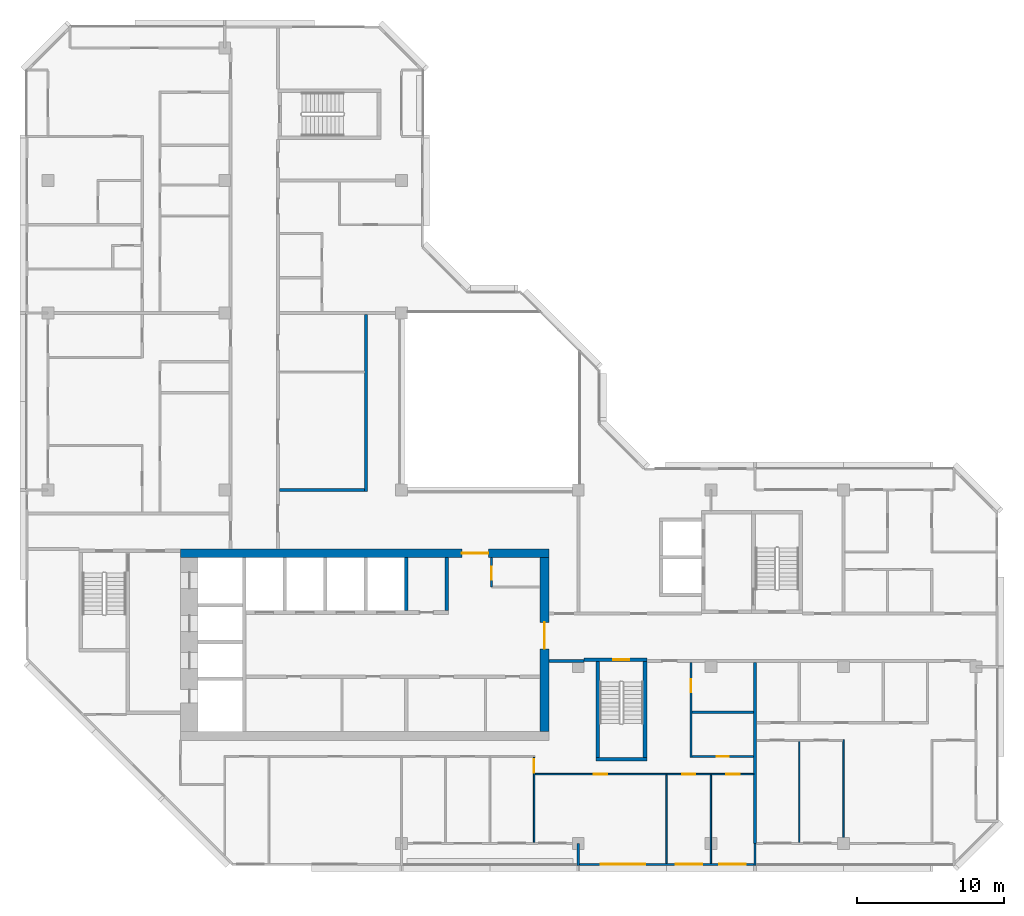
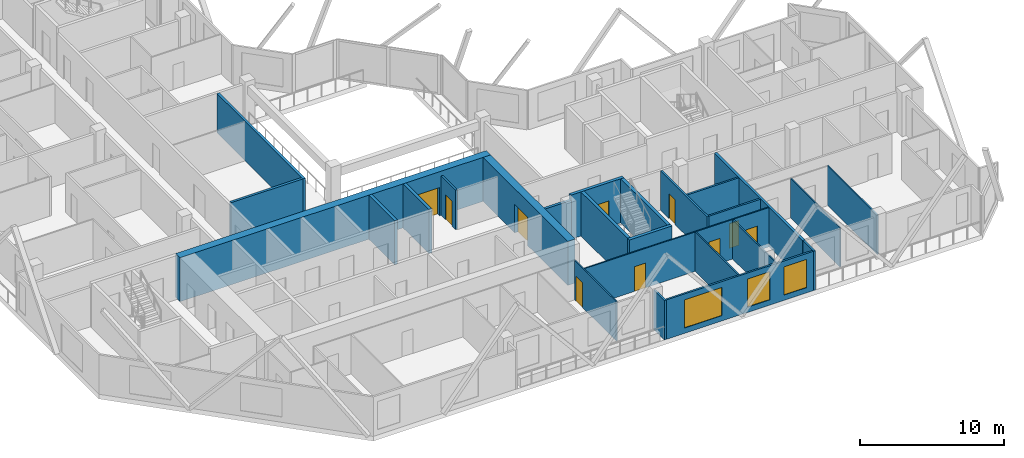
# One storey, part 6 of 13: 25 walls, 10 doors, 3 windows, 13 openings.
"""IFC4 building model written with IfcOpenShell, lengths in metres."""

from ifc_helpers import new_model, si_unit, direction, frame, frame_2d, origin, place, context, subcontext, project, spatial, rectangle, extrude, material, layer, layer_set, type_object, element, fill, save


model = new_model("IFC4")

# Units and contexts
model_context = context("Model", 3, precision=1e-05, world=origin(), true_north=direction((0.0, 1.0)))
body_context = subcontext(model_context, "Body", "Model", "MODEL_VIEW")
ifc_project = project(units=[si_unit("LENGTHUNIT", "METRE"), si_unit("AREAUNIT", "SQUARE_METRE"), si_unit("VOLUMEUNIT", "CUBIC_METRE"), si_unit("PLANEANGLEUNIT", "RADIAN"), si_unit("MASSUNIT", "GRAM", prefix="KILO")], contexts=[model_context])

# Site, building, storey
site_placement = place(None, origin())
site = spatial("IfcSite", under=ifc_project, at=site_placement, CompositionType="ELEMENT")
building_placement = place(site_placement, origin())
building = spatial("IfcBuilding", under=site, at=building_placement, Name="Chenar Terraces", CompositionType="ELEMENT")
storey_placement = place(building_placement, frame((0.0, 0.0, 288.39990234375)))
storey = spatial("IfcBuildingStorey", under=building, at=storey_placement, Name="L67", CompositionType="ELEMENT", Elevation=288.39990234375)

# Wall, opening, door
ifc_material_1 = material(Name="Gypsum board on steel studs", Category="steel")
ifc_layer_1 = layer(ifc_material_1, 0.14990234375)
ifc_layer_set_1 = layer_set([ifc_layer_1], Name="Gypsum board on steel studs")
wall_type_1 = type_object("IfcWallType", Name="Core partition 150 gypsum board", PredefinedType="PARTITIONING", material=ifc_layer_set_1)
wall_1_placement = place(storey_placement, frame((30.10009765625, 17.39990234375, 0.0), z_axis=(0.0, 0.0, 1.0), x_axis=(0.0, 1.0, 0.0)))
wall_1 = element("IfcWall", 1, at=wall_1_placement, inside=storey, type_object=wall_type_1, Name="Core partition CP1 vestibule room west wall", PredefinedType="PARTITIONING", context=body_context, shape_type="SweptSolid", body=[
    extrude(rectangle(XDim=2.0, YDim=0.14990234375, at=frame_2d((1.0, 0.0))), origin(), (0.0, 0.0, 1.0), 3.35009765625),
])
opening_1_placement = place(wall_1_placement, frame((0.5, 0.0, 0.0)))
opening_1 = element("IfcOpeningElement", 2, at=opening_1_placement, cuts=wall_1, Name="Opening DL67-C17", PredefinedType="OPENING", context=body_context, shape_type="SweptSolid", body=[
    extrude(rectangle(XDim=0.89990234375, YDim=2.10009765625, at=frame_2d((0.449951171875, 1.050048828125))), frame((0.0, 0.0849609375, 0.0), z_axis=(0.0, -1.0, 0.0), x_axis=(1.0, 0.0, 0.0)), (0.0, 0.0, 1.0), 0.169921875),
])
ifc_material_2 = material(Name="Steel-framed fire-resisting door leaf", Category="steel")
door_type_1 = type_object("IfcDoorType", Name="Riser fire door FD60 900 x 2100", OperationType="SINGLE_SWING_LEFT", PredefinedType="DOOR", material=ifc_material_2)
door_1_placement = place(opening_1_placement, frame((0.89990234375, 0.0, 0.0), z_axis=(0.0, 0.0, 1.0), x_axis=(-1.0, 0.0, 0.0)))
door_1 = element("IfcDoor", 3, at=door_1_placement, inside=storey, type_object=door_type_1, Name="Core room door DL67-C17", OperationType="SINGLE_SWING_RIGHT", OverallHeight=2.10009765625, OverallWidth=0.89990234375, PredefinedType="DOOR", context=body_context, shape_type="SweptSolid", body=[
    extrude(rectangle(XDim=0.89990234375, YDim=2.10009765625, at=frame_2d((0.449951171875, 1.050048828125))), frame((0.0, 0.02490234375, 0.0), z_axis=(0.0, -1.0, 0.0), x_axis=(1.0, 0.0, 0.0)), (0.0, 0.0, 1.0), 0.050048828125),
])
fill(opening_1, door_1)

# Walls
ifc_material_3 = material(Name="Concrete C50/60", Category="concrete")
ifc_layer_2 = layer(ifc_material_3, 0.25)
ifc_layer_set_2 = layer_set([ifc_layer_2], Name="Concrete C50/60")
wall_type_2 = type_object("IfcWallType", Name="Core wall 250 Concrete C50/60", PredefinedType="SHEAR", material=ifc_layer_set_2)
for number, where, z_axis, x_axis, name in (
    (4, (24.324951171875, 15.800048828125, 0.0), (0.0, 0.0, 1.0), (0.0, 1.0, 0.0), "Core wall NS3 L67"),
    (5, (27.074951171875, 15.800048828125, 0.0), (0.0, 0.0, 1.0), (0.0, 1.0, 0.0), "Core wall NE L67"),
):
    element("IfcWall", number, at=place(storey_placement, frame(where, z_axis=z_axis, x_axis=x_axis)), inside=storey, type_object=wall_type_2, Name=name, PredefinedType="SHEAR", context=body_context, shape_type="SweptSolid", body=[
        extrude(rectangle(XDim=3.599853515625, YDim=0.25, at=frame_2d((1.7998046875, 0.0))), origin(), (0.0, 0.0, 1.0), 3.75),
    ])
wall_2_placement = place(storey_placement, frame((37.199951171875, 5.72509765625, 0.0), z_axis=(0.0, 0.0, 1.0), x_axis=(1.0, 0.0, 0.0)))
element("IfcWall", 6, at=wall_2_placement, inside=storey, type_object=wall_type_2, Name="Core wall ST2_S L67", PredefinedType="SHEAR", context=body_context, shape_type="SweptSolid", body=[
    extrude(rectangle(XDim=3.449951171875, YDim=0.25, at=frame_2d((1.72509765625, 0.0))), origin(), (0.0, 0.0, 1.0), 3.75),
])

# Wall, opening, door
wall_3_placement = place(storey_placement, frame((36.39990234375, 12.47509765625, 0.0), z_axis=(0.0, 0.0, 1.0), x_axis=(1.0, 0.0, 0.0)))
wall_3 = element("IfcWall", 7, at=wall_3_placement, inside=storey, type_object=wall_type_2, Name="Core wall ST2_N L67", PredefinedType="SHEAR", context=body_context, shape_type="SweptSolid", body=[
    extrude(rectangle(XDim=4.25, YDim=0.25, at=frame_2d((2.125, 0.0))), origin(), (0.0, 0.0, 1.0), 3.75),
])
opening_2_placement = place(wall_3_placement, frame((1.97509765625, 0.0, 0.0)))
opening_2 = element("IfcOpeningElement", 8, at=opening_2_placement, cuts=wall_3, Name="Opening DL67-C7", PredefinedType="OPENING", context=body_context, shape_type="SweptSolid", body=[
    extrude(rectangle(XDim=1.10009765625, YDim=2.199951171875, at=frame_2d((0.550048828125, 1.10009765625))), frame((0.0, 0.135009765625, 0.0), z_axis=(0.0, -1.0, 0.0), x_axis=(1.0, 0.0, 0.0)), (0.0, 0.0, 1.0), 0.27001953125),
])
ifc_material_4 = material(Name="Steel-framed fire-resisting door leaf", Category="steel")
door_type_2 = type_object("IfcDoorType", Name="Stair fire door FD60 1100 x 2200", OperationType="SINGLE_SWING_LEFT", PredefinedType="DOOR", material=ifc_material_4)
door_2_placement = place(opening_2_placement, frame((1.10009765625, 0.0, 0.0), z_axis=(0.0, 0.0, 1.0), x_axis=(-1.0, 0.0, 0.0)))
door_2 = element("IfcDoor", 9, at=door_2_placement, inside=storey, type_object=door_type_2, Name="Stair door DL67-C7", OperationType="SINGLE_SWING_LEFT", OverallHeight=2.199951171875, OverallWidth=1.10009765625, PredefinedType="DOOR", context=body_context, shape_type="SweptSolid", body=[
    extrude(rectangle(XDim=1.10009765625, YDim=2.199951171875, at=frame_2d((0.550048828125, 1.10009765625))), frame((0.0, 0.02490234375, 0.0), z_axis=(0.0, -1.0, 0.0), x_axis=(1.0, 0.0, 0.0)), (0.0, 0.0, 1.0), 0.050048828125),
])
fill(opening_2, door_2)

# Walls
for number, where, z_axis, x_axis, name in (
    (10, (37.324951171875, 5.85009765625, 0.0), (0.0, 0.0, 1.0), (0.0, 1.0, 0.0), "Core wall ST2_W L67"),
    (11, (40.52490234375, 5.85009765625, 0.0), (0.0, 0.0, 1.0), (0.0, 1.0, 0.0), "Core wall ST2_E L67"),
):
    element("IfcWall", number, at=place(storey_placement, frame(where, z_axis=z_axis, x_axis=x_axis)), inside=storey, type_object=wall_type_2, Name=name, PredefinedType="SHEAR", context=body_context, shape_type="SweptSolid", body=[
        extrude(rectangle(XDim=6.5, YDim=0.25, at=frame_2d((3.25, 0.0))), origin(), (0.0, 0.0, 1.0), 3.75),
    ])

# Wall, opening, door
ifc_material_5 = material(Name="Concrete C50/60", Category="concrete")
ifc_layer_3 = layer(ifc_material_5, 0.60009765625)
ifc_layer_set_3 = layer_set([ifc_layer_3], Name="Concrete C50/60")
wall_type_3 = type_object("IfcWallType", Name="Core wall 600 Concrete C50/60", PredefinedType="SHEAR", material=ifc_layer_set_3)
wall_4_placement = place(storey_placement, frame((9.0, 19.699951171875, 0.0), z_axis=(0.0, 0.0, 1.0), x_axis=(1.0, 0.0, 0.0)))
wall_4 = element("IfcWall", 12, at=wall_4_placement, inside=storey, type_object=wall_type_3, Name="Core wall N L67", PredefinedType="SHEAR", context=body_context, shape_type="SweptSolid", body=[
    extrude(rectangle(XDim=25.0, YDim=0.60009765625, at=frame_2d((12.5, 0.0))), origin(), (0.0, 0.0, 1.0), 3.75),
])
opening_3_placement = place(wall_4_placement, frame((19.10009765625, 0.0, 0.0)))
opening_3 = element("IfcOpeningElement", 13, at=opening_3_placement, cuts=wall_4, Name="Opening DL67-C2", PredefinedType="OPENING", context=body_context, shape_type="SweptSolid", body=[
    extrude(rectangle(XDim=1.800048828125, YDim=2.39990234375, at=frame_2d((0.89990234375, 1.199951171875))), frame((0.0, 0.31005859375, 0.0), z_axis=(0.0, -1.0, 0.0), x_axis=(1.0, 0.0, 0.0)), (0.0, 0.0, 1.0), 0.6201171875),
])
ifc_material_6 = material(Name="Steel-framed fire-resisting door leaf", Category="steel")
door_type_3 = type_object("IfcDoorType", Name="Core entrance double fire door FD60 1800 x 2400", OperationType="DOUBLE_DOOR_SINGLE_SWING", PredefinedType="DOOR", material=ifc_material_6)
door_3_placement = place(opening_3_placement, frame((1.800048828125, 0.0, 0.0), z_axis=(0.0, 0.0, 1.0), x_axis=(-1.0, 0.0, 0.0)))
door_3 = element("IfcDoor", 14, at=door_3_placement, inside=storey, type_object=door_type_3, Name="Core door DL67-C2", OperationType="DOUBLE_DOOR_SINGLE_SWING", OverallHeight=2.39990234375, OverallWidth=1.800048828125, PredefinedType="DOOR", context=body_context, shape_type="SweptSolid", body=[
    extrude(rectangle(XDim=1.800048828125, YDim=2.39990234375, at=frame_2d((0.89990234375, 1.199951171875))), frame((0.0, 0.02490234375, 0.0), z_axis=(0.0, -1.0, 0.0), x_axis=(1.0, 0.0, 0.0)), (0.0, 0.0, 1.0), 0.050048828125),
])
fill(opening_3, door_3)

wall_5_placement = place(storey_placement, frame((33.699951171875, 7.60009765625, 0.0), z_axis=(0.0, 0.0, 1.0), x_axis=(0.0, 1.0, 0.0)))
wall_5 = element("IfcWall", 15, at=wall_5_placement, inside=storey, type_object=wall_type_3, Name="Core wall E L67", PredefinedType="SHEAR", context=body_context, shape_type="SweptSolid", body=[
    extrude(rectangle(XDim=11.7998046875, YDim=0.60009765625, at=frame_2d((5.89990234375, 0.0))), origin(), (0.0, 0.0, 1.0), 3.75),
])
opening_4_placement = place(wall_5_placement, frame((5.60009765625, 0.0, 0.0)))
opening_4 = element("IfcOpeningElement", 16, at=opening_4_placement, cuts=wall_5, Name="Opening DL67-C1", PredefinedType="OPENING", context=body_context, shape_type="SweptSolid", body=[
    extrude(rectangle(XDim=1.800048828125, YDim=2.39990234375, at=frame_2d((0.89990234375, 1.199951171875))), frame((0.0, 0.31005859375, 0.0), z_axis=(0.0, -1.0, 0.0), x_axis=(1.0, 0.0, 0.0)), (0.0, 0.0, 1.0), 0.6201171875),
])
door_4_placement = place(opening_4_placement, origin())
door_4 = element("IfcDoor", 17, at=door_4_placement, inside=storey, type_object=door_type_3, Name="Core door DL67-C1", OperationType="DOUBLE_DOOR_SINGLE_SWING", OverallHeight=2.39990234375, OverallWidth=1.800048828125, PredefinedType="DOOR", context=body_context, shape_type="SweptSolid", body=[
    extrude(rectangle(XDim=1.800048828125, YDim=2.39990234375, at=frame_2d((0.89990234375, 1.199951171875))), frame((0.0, 0.02490234375, 0.0), z_axis=(0.0, -1.0, 0.0), x_axis=(1.0, 0.0, 0.0)), (0.0, 0.0, 1.0), 0.050048828125),
])
fill(opening_4, door_4)

# Walls
ifc_material_7 = material(Name="Gypsum board on steel studs with fire boards", Category="steel")
ifc_layer_4 = layer(ifc_material_7, 0.199951171875)
ifc_layer_set_4 = layer_set([ifc_layer_4], Name="Gypsum board on steel studs with fire boards")
wall_type_4 = type_object("IfcWallType", Name="Corridor wall 200", PredefinedType="PARTITIONING", material=ifc_layer_set_4)
wall_6_placement = place(storey_placement, frame((15.699951171875, 24.0, 0.0), z_axis=(0.0, 0.0, 1.0), x_axis=(1.0, 0.0, 0.0)))
element("IfcWall", 18, at=wall_6_placement, inside=storey, type_object=wall_type_4, Name="Partition L67-033", PredefinedType="PARTITIONING", context=body_context, shape_type="SweptSolid", body=[
    extrude(rectangle(XDim=5.800048828125, YDim=0.199951171875, at=frame_2d((2.89990234375, 0.0))), origin(), (0.0, 0.0, 1.0), 3.35009765625),
])
wall_7_placement = place(storey_placement, frame((21.60009765625, 23.89990234375, 0.0), z_axis=(0.0, 0.0, 1.0), x_axis=(0.0, 1.0, 0.0)))
element("IfcWall", 19, at=wall_7_placement, inside=storey, type_object=wall_type_4, Name="Partition L67-042", PredefinedType="PARTITIONING", context=body_context, shape_type="SweptSolid", body=[
    extrude(rectangle(XDim=12.0, YDim=0.199951171875, at=frame_2d((6.0, 0.0))), origin(), (0.0, 0.0, 1.0), 3.35009765625),
])
wall_8_placement = place(storey_placement, frame((34.0, 12.39990234375, 0.0), z_axis=(0.0, 0.0, 1.0), x_axis=(1.0, 0.0, 0.0)))
element("IfcWall", 20, at=wall_8_placement, inside=storey, type_object=wall_type_4, Name="Partition L67-048", PredefinedType="PARTITIONING", context=body_context, shape_type="SweptSolid", body=[
    extrude(rectangle(XDim=2.40087890625, YDim=0.199951171875, at=frame_2d((1.200439453125, 0.0))), origin(), (0.0, 0.0, 1.0), 3.35009765625),
])

# Wall, openings, windows
ifc_material_8 = material(Name="Aluminium framed glazing", Category="aluminium")
ifc_layer_5 = layer(ifc_material_8, 0.14990234375)
ifc_layer_set_5 = layer_set([ifc_layer_5], Name="Aluminium framed glazing")
wall_type_5 = type_object("IfcWallType", Name="Glazed flush facade wall 150", PredefinedType="SOLIDWALL", material=ifc_layer_set_5)
wall_9_placement = place(storey_placement, frame((36.074951171875, -1.425048828125, 0.0), z_axis=(0.0, 0.0, 1.0), x_axis=(1.0, 0.0, 0.0)))
wall_9 = element("IfcWall", 21, at=wall_9_placement, inside=storey, type_object=wall_type_5, Name="Glazed flush facade wall", PredefinedType="SOLIDWALL", context=body_context, shape_type="SweptSolid", body=[
    extrude(rectangle(XDim=11.85009765625, YDim=0.14990234375, at=frame_2d((5.925048828125, 0.0))), origin(), (0.0, 0.0, 1.0), 3.35009765625),
])
opening_5_placement = place(wall_9_placement, frame((1.46240234375, 0.0, 0.449951171875)))
opening_5 = element("IfcOpeningElement", 22, at=opening_5_placement, cuts=wall_9, Name="Opening W300x240", PredefinedType="OPENING", context=body_context, shape_type="SweptSolid", body=[
    extrude(rectangle(XDim=3.0, YDim=2.39990234375, at=frame_2d((1.5, 1.199951171875))), frame((0.0, 0.0849609375, 0.0), z_axis=(0.0, -1.0, 0.0), x_axis=(1.0, 0.0, 0.0)), (0.0, 0.0, 1.0), 0.169921875),
])
opening_6_placement = place(wall_9_placement, frame((6.52490234375, 0.0, 0.449951171875)))
opening_6 = element("IfcOpeningElement", 23, at=opening_6_placement, cuts=wall_9, Name="Opening W180x240", PredefinedType="OPENING", context=body_context, shape_type="SweptSolid", body=[
    extrude(rectangle(XDim=1.800048828125, YDim=2.39990234375, at=frame_2d((0.89990234375, 1.199951171875))), frame((0.0, 0.0849609375, 0.0), z_axis=(0.0, -1.0, 0.0), x_axis=(1.0, 0.0, 0.0)), (0.0, 0.0, 1.0), 0.169921875),
])
opening_7_placement = place(wall_9_placement, frame((9.487548828125, 0.0, 0.449951171875)))
opening_7 = element("IfcOpeningElement", 24, at=opening_7_placement, cuts=wall_9, Name="Opening W180x240", PredefinedType="OPENING", context=body_context, shape_type="SweptSolid", body=[
    extrude(rectangle(XDim=1.800048828125, YDim=2.39990234375, at=frame_2d((0.89990234375, 1.199951171875))), frame((0.0, 0.0849609375, 0.0), z_axis=(0.0, -1.0, 0.0), x_axis=(1.0, 0.0, 0.0)), (0.0, 0.0, 1.0), 0.169921875),
])
ifc_material_9 = material(Name="Low emissivity double glazing, aluminium frame", Category="aluminium")
window_type_1 = type_object("IfcWindowType", Name="Fixed light 1800 x 2400", PartitioningType="SINGLE_PANEL", PredefinedType="WINDOW", material=ifc_material_9)
window_1_placement = place(opening_6_placement, origin())
window_1 = element("IfcWindow", 25, at=window_1_placement, inside=storey, type_object=window_type_1, Name="Window", OverallHeight=2.39990234375, OverallWidth=1.800048828125, PartitioningType="SINGLE_PANEL", PredefinedType="WINDOW", context=body_context, shape_type="SweptSolid", body=[
    extrude(rectangle(XDim=1.800048828125, YDim=2.39990234375, at=frame_2d((0.89990234375, 1.199951171875))), frame((0.0, 0.030029296875, 0.0), z_axis=(0.0, -1.0, 0.0), x_axis=(1.0, 0.0, 0.0)), (0.0, 0.0, 1.0), 0.06005859375),
])
fill(opening_6, window_1)
window_2_placement = place(opening_7_placement, origin())
window_2 = element("IfcWindow", 26, at=window_2_placement, inside=storey, type_object=window_type_1, Name="Window", OverallHeight=2.39990234375, OverallWidth=1.800048828125, PartitioningType="SINGLE_PANEL", PredefinedType="WINDOW", context=body_context, shape_type="SweptSolid", body=[
    extrude(rectangle(XDim=1.800048828125, YDim=2.39990234375, at=frame_2d((0.89990234375, 1.199951171875))), frame((0.0, 0.030029296875, 0.0), z_axis=(0.0, -1.0, 0.0), x_axis=(1.0, 0.0, 0.0)), (0.0, 0.0, 1.0), 0.06005859375),
])
fill(opening_7, window_2)
ifc_material_10 = material(Name="Low emissivity double glazing, aluminium frame", Category="aluminium")
window_type_2 = type_object("IfcWindowType", Name="Fixed light 3000 x 2400", PartitioningType="SINGLE_PANEL", PredefinedType="WINDOW", material=ifc_material_10)
window_3_placement = place(opening_5_placement, origin())
window_3 = element("IfcWindow", 27, at=window_3_placement, inside=storey, type_object=window_type_2, Name="Window", OverallHeight=2.39990234375, OverallWidth=3.0, PartitioningType="SINGLE_PANEL", PredefinedType="WINDOW", context=body_context, shape_type="SweptSolid", body=[
    extrude(rectangle(XDim=3.0, YDim=2.39990234375, at=frame_2d((1.5, 1.199951171875))), frame((0.0, 0.030029296875, 0.0), z_axis=(0.0, -1.0, 0.0), x_axis=(1.0, 0.0, 0.0)), (0.0, 0.0, 1.0), 0.06005859375),
])
fill(opening_5, window_3)

# Wall, opening, door
ifc_material_11 = material(Name="Gypsum board on steel studs", Category="steel")
ifc_layer_6 = layer(ifc_material_11, 0.10009765625)
ifc_layer_set_6 = layer_set([ifc_layer_6], Name="Gypsum board on steel studs")
wall_type_6 = type_object("IfcWallType", Name="Gypsum partition 100", PredefinedType="PARTITIONING", material=ifc_layer_set_6)
wall_10_placement = place(storey_placement, frame((33.0, 0.073974609375, 0.0), z_axis=(0.0, 0.0, 1.0), x_axis=(0.0, 1.0, 0.0)))
wall_10 = element("IfcWall", 28, at=wall_10_placement, inside=storey, type_object=wall_type_6, Name="Partition L67-046", PredefinedType="PARTITIONING", context=body_context, shape_type="SweptSolid", body=[
    extrude(rectangle(XDim=5.776123046875, YDim=0.10009765625, at=frame_2d((2.88818359375, 0.0))), origin(), (0.0, 0.0, 1.0), 3.35009765625),
])
opening_8_placement = place(wall_10_placement, frame((4.72607421875, 0.0, 0.0)))
opening_8 = element("IfcOpeningElement", 29, at=opening_8_placement, cuts=wall_10, Name="Opening DL67-39", PredefinedType="OPENING", context=body_context, shape_type="SweptSolid", body=[
    extrude(rectangle(XDim=0.89990234375, YDim=2.10009765625, at=frame_2d((0.449951171875, 1.050048828125))), frame((0.0, 0.06005859375, 0.0), z_axis=(0.0, -1.0, 0.0), x_axis=(1.0, 0.0, 0.0)), (0.0, 0.0, 1.0), 0.1201171875),
])
ifc_material_12 = material(Name="Veneered timber door leaf", Category="wood")
door_type_4 = type_object("IfcDoorType", Name="Door 900 x 2100", OperationType="SINGLE_SWING_LEFT", PredefinedType="DOOR", material=ifc_material_12)
door_5_placement = place(opening_8_placement, origin())
door_5 = element("IfcDoor", 30, at=door_5_placement, inside=storey, type_object=door_type_4, Name="Door DL67-39", OperationType="SINGLE_SWING_RIGHT", OverallHeight=2.10009765625, OverallWidth=0.89990234375, PredefinedType="DOOR", context=body_context, shape_type="SweptSolid", body=[
    extrude(rectangle(XDim=0.89990234375, YDim=2.10009765625, at=frame_2d((0.449951171875, 1.050048828125))), frame((0.0, 0.02490234375, 0.0), z_axis=(0.0, -1.0, 0.0), x_axis=(1.0, 0.0, 0.0)), (0.0, 0.0, 1.0), 0.050048828125),
])
fill(opening_8, door_5)

# Wall, openings, doors
wall_11_placement = place(storey_placement, frame((33.050048828125, 4.699951171875, 0.0), z_axis=(0.0, 0.0, 1.0), x_axis=(1.0, 0.0, 0.0)))
wall_11 = element("IfcWall", 31, at=wall_11_placement, inside=storey, type_object=wall_type_6, Name="Partition L67-047", PredefinedType="PARTITIONING", context=body_context, shape_type="SweptSolid", body=[
    extrude(rectangle(XDim=14.849853515625, YDim=0.10009765625, at=frame_2d((7.4248046875, 0.0))), origin(), (0.0, 0.0, 1.0), 3.35009765625),
])
opening_9_placement = place(wall_11_placement, frame((10.0, 0.0, 0.0)))
opening_9 = element("IfcOpeningElement", 32, at=opening_9_placement, cuts=wall_11, Name="Opening DL67-40", PredefinedType="OPENING", context=body_context, shape_type="SweptSolid", body=[
    extrude(rectangle(XDim=0.89990234375, YDim=2.10009765625, at=frame_2d((0.449951171875, 1.050048828125))), frame((0.0, 0.06005859375, 0.0), z_axis=(0.0, -1.0, 0.0), x_axis=(1.0, 0.0, 0.0)), (0.0, 0.0, 1.0), 0.1201171875),
])
opening_10_placement = place(wall_11_placement, frame((13.0, 0.0, 0.0)))
opening_10 = element("IfcOpeningElement", 33, at=opening_10_placement, cuts=wall_11, Name="Opening DL67-41", PredefinedType="OPENING", context=body_context, shape_type="SweptSolid", body=[
    extrude(rectangle(XDim=0.89990234375, YDim=2.10009765625, at=frame_2d((0.449951171875, 1.050048828125))), frame((0.0, 0.06005859375, 0.0), z_axis=(0.0, -1.0, 0.0), x_axis=(1.0, 0.0, 0.0)), (0.0, 0.0, 1.0), 0.1201171875),
])
opening_11_placement = place(wall_11_placement, frame((4.0, 0.0, 0.0)))
opening_11 = element("IfcOpeningElement", 34, at=opening_11_placement, cuts=wall_11, Name="Opening DL67-47", PredefinedType="OPENING", context=body_context, shape_type="SweptSolid", body=[
    extrude(rectangle(XDim=0.89990234375, YDim=2.10009765625, at=frame_2d((0.449951171875, 1.050048828125))), frame((0.0, 0.06005859375, 0.0), z_axis=(0.0, -1.0, 0.0), x_axis=(1.0, 0.0, 0.0)), (0.0, 0.0, 1.0), 0.1201171875),
])
door_6_placement = place(opening_9_placement, frame((0.89990234375, 0.0, 0.0), z_axis=(0.0, 0.0, 1.0), x_axis=(-1.0, 0.0, 0.0)))
door_6 = element("IfcDoor", 35, at=door_6_placement, inside=storey, type_object=door_type_4, Name="Door DL67-40", OperationType="SINGLE_SWING_LEFT", OverallHeight=2.10009765625, OverallWidth=0.89990234375, PredefinedType="DOOR", context=body_context, shape_type="SweptSolid", body=[
    extrude(rectangle(XDim=0.89990234375, YDim=2.10009765625, at=frame_2d((0.449951171875, 1.050048828125))), frame((0.0, 0.02490234375, 0.0), z_axis=(0.0, -1.0, 0.0), x_axis=(1.0, 0.0, 0.0)), (0.0, 0.0, 1.0), 0.050048828125),
])
fill(opening_9, door_6)
door_7_placement = place(opening_10_placement, frame((0.89990234375, 0.0, 0.0), z_axis=(0.0, 0.0, 1.0), x_axis=(-1.0, 0.0, 0.0)))
door_7 = element("IfcDoor", 36, at=door_7_placement, inside=storey, type_object=door_type_4, Name="Door DL67-41", OperationType="SINGLE_SWING_LEFT", OverallHeight=2.10009765625, OverallWidth=0.89990234375, PredefinedType="DOOR", context=body_context, shape_type="SweptSolid", body=[
    extrude(rectangle(XDim=0.89990234375, YDim=2.10009765625, at=frame_2d((0.449951171875, 1.050048828125))), frame((0.0, 0.02490234375, 0.0), z_axis=(0.0, -1.0, 0.0), x_axis=(1.0, 0.0, 0.0)), (0.0, 0.0, 1.0), 0.050048828125),
])
fill(opening_10, door_7)
door_8_placement = place(opening_11_placement, frame((0.89990234375, 0.0, 0.0), z_axis=(0.0, 0.0, 1.0), x_axis=(-1.0, 0.0, 0.0)))
door_8 = element("IfcDoor", 37, at=door_8_placement, inside=storey, type_object=door_type_4, Name="Door DL67-47", OperationType="SINGLE_SWING_LEFT", OverallHeight=2.10009765625, OverallWidth=0.89990234375, PredefinedType="DOOR", context=body_context, shape_type="SweptSolid", body=[
    extrude(rectangle(XDim=0.89990234375, YDim=2.10009765625, at=frame_2d((0.449951171875, 1.050048828125))), frame((0.0, 0.02490234375, 0.0), z_axis=(0.0, -1.0, 0.0), x_axis=(1.0, 0.0, 0.0)), (0.0, 0.0, 1.0), 0.050048828125),
])
fill(opening_11, door_8)

# Walls
wall_12_placement = place(storey_placement, frame((42.0, -1.35009765625, 0.0), z_axis=(0.0, 0.0, 1.0), x_axis=(0.0, 1.0, 0.0)))
element("IfcWall", 38, at=wall_12_placement, inside=storey, type_object=wall_type_6, Name="Partition L67-052", PredefinedType="PARTITIONING", context=body_context, shape_type="SweptSolid", body=[
    extrude(rectangle(XDim=6.0, YDim=0.10009765625, at=frame_2d((3.0, 0.0))), origin(), (0.0, 0.0, 1.0), 3.35009765625),
])
wall_13_placement = place(storey_placement, frame((45.0, -1.35107421875, 0.0), z_axis=(0.0, 0.0, 1.0), x_axis=(0.0, 1.0, 0.0)))
element("IfcWall", 39, at=wall_13_placement, inside=storey, type_object=wall_type_6, Name="Partition L67-056", PredefinedType="PARTITIONING", context=body_context, shape_type="SweptSolid", body=[
    extrude(rectangle(XDim=6.0009765625, YDim=0.10009765625, at=frame_2d((3.00048828125, 0.0))), origin(), (0.0, 0.0, 1.0), 3.35009765625),
])
wall_14_placement = place(storey_placement, frame((51.0, 0.073974609375, 0.0), z_axis=(0.0, 0.0, 1.0), x_axis=(0.0, 1.0, 0.0)))
element("IfcWall", 40, at=wall_14_placement, inside=storey, type_object=wall_type_6, Name="Partition L67-061", PredefinedType="PARTITIONING", context=body_context, shape_type="SweptSolid", body=[
    extrude(rectangle(XDim=6.8759765625, YDim=0.10009765625, at=frame_2d((3.43798828125, 0.0))), origin(), (0.0, 0.0, 1.0), 3.35009765625),
])
wall_15_placement = place(storey_placement, frame((54.0, 0.073974609375, 0.0), z_axis=(0.0, 0.0, 1.0), x_axis=(0.0, 1.0, 0.0)))
element("IfcWall", 41, at=wall_15_placement, inside=storey, type_object=wall_type_6, Name="Partition L67-064", PredefinedType="PARTITIONING", context=body_context, shape_type="SweptSolid", body=[
    extrude(rectangle(XDim=6.97607421875, YDim=0.10009765625, at=frame_2d((3.488037109375, 0.0))), origin(), (0.0, 0.0, 1.0), 3.35009765625),
])
ifc_material_13 = material(Name="Terracotta cladding on insulated backing", Category="masonry")
ifc_layer_7 = layer(ifc_material_13, 0.14990234375)
ifc_layer_set_7 = layer_set([ifc_layer_7], Name="Terracotta cladding on insulated backing")
wall_type_7 = type_object("IfcWallType", Name="Loggia return wall 150", PredefinedType="SOLIDWALL", material=ifc_layer_set_7)
for number, where, z_axis, x_axis, name in (
    (42, (36.0, -1.5, 0.0), (0.0, 0.0, 1.0), (0.0, 1.0, 0.0), "Loggia return wall"),
    (43, (48.0, -1.5, 0.0), (0.0, 0.0, 1.0), (0.0, 1.0, 0.0), "Loggia return wall"),
):
    element("IfcWall", number, at=place(storey_placement, frame(where, z_axis=z_axis, x_axis=x_axis)), inside=storey, type_object=wall_type_7, Name=name, PredefinedType="SOLIDWALL", context=body_context, shape_type="SweptSolid", body=[
        extrude(rectangle(XDim=1.5, YDim=0.14990234375, at=frame_2d((0.75, 0.0))), origin(), (0.0, 0.0, 1.0), 3.35009765625),
    ])
ifc_material_14 = material(Name="Twin gypsum board on steel studs with mineral wool", Category="steel")
ifc_layer_8 = layer(ifc_material_14, 0.199951171875)
ifc_layer_set_8 = layer_set([ifc_layer_8], Name="Twin gypsum board on steel studs with mineral wool")
wall_type_8 = type_object("IfcWallType", Name="Unit demising wall 200", PredefinedType="PARTITIONING", material=ifc_layer_set_8)
wall_16_placement = place(storey_placement, frame((48.0, 0.0, 0.0), z_axis=(0.0, 0.0, 1.0), x_axis=(0.0, 1.0, 0.0)))
element("IfcWall", 44, at=wall_16_placement, inside=storey, type_object=wall_type_8, Name="Partition L67-058", PredefinedType="PARTITIONING", context=body_context, shape_type="SweptSolid", body=[
    extrude(rectangle(XDim=12.300048828125, YDim=0.199951171875, at=frame_2d((6.14990234375, 0.0))), origin(), (0.0, 0.0, 1.0), 3.35009765625),
])

# Wall, opening, door
ifc_material_15 = material(Name="Moisture-resistant gypsum board on steel studs", Category="steel")
ifc_layer_9 = layer(ifc_material_15, 0.14990234375)
ifc_layer_set_9 = layer_set([ifc_layer_9], Name="Moisture-resistant gypsum board on steel studs")
wall_type_9 = type_object("IfcWallType", Name="Wet-room partition 150", PredefinedType="PARTITIONING", material=ifc_layer_set_9)
wall_17_placement = place(storey_placement, frame((43.64990234375, 5.824951171875, 0.0), z_axis=(0.0, 0.0, 1.0), x_axis=(0.0, 1.0, 0.0)))
wall_17 = element("IfcWall", 45, at=wall_17_placement, inside=storey, type_object=wall_type_9, Name="Partition L67-053", PredefinedType="PARTITIONING", context=body_context, shape_type="SweptSolid", body=[
    extrude(rectangle(XDim=6.47509765625, YDim=0.14990234375, at=frame_2d((3.237548828125, 0.0))), origin(), (0.0, 0.0, 1.0), 3.35009765625),
])
opening_12_placement = place(wall_17_placement, frame((4.425048828125, 0.0, 0.0)))
opening_12 = element("IfcOpeningElement", 46, at=opening_12_placement, cuts=wall_17, Name="Opening DL67-45", PredefinedType="OPENING", context=body_context, shape_type="SweptSolid", body=[
    extrude(rectangle(XDim=0.89990234375, YDim=2.10009765625, at=frame_2d((0.449951171875, 1.050048828125))), frame((0.0, 0.0849609375, 0.0), z_axis=(0.0, -1.0, 0.0), x_axis=(1.0, 0.0, 0.0)), (0.0, 0.0, 1.0), 0.169921875),
])
door_9_placement = place(opening_12_placement, frame((0.89990234375, 0.0, 0.0), z_axis=(0.0, 0.0, 1.0), x_axis=(-1.0, 0.0, 0.0)))
door_9 = element("IfcDoor", 47, at=door_9_placement, inside=storey, type_object=door_type_4, Name="Door DL67-45", OperationType="SINGLE_SWING_LEFT", OverallHeight=2.10009765625, OverallWidth=0.89990234375, PredefinedType="DOOR", context=body_context, shape_type="SweptSolid", body=[
    extrude(rectangle(XDim=0.89990234375, YDim=2.10009765625, at=frame_2d((0.449951171875, 1.050048828125))), frame((0.0, 0.02490234375, 0.0), z_axis=(0.0, -1.0, 0.0), x_axis=(1.0, 0.0, 0.0)), (0.0, 0.0, 1.0), 0.050048828125),
])
fill(opening_12, door_9)

wall_18_placement = place(storey_placement, frame((43.72509765625, 5.89990234375, 0.0), z_axis=(0.0, 0.0, 1.0), x_axis=(1.0, 0.0, 0.0)))
wall_18 = element("IfcWall", 48, at=wall_18_placement, inside=storey, type_object=wall_type_9, Name="Partition L67-054", PredefinedType="PARTITIONING", context=body_context, shape_type="SweptSolid", body=[
    extrude(rectangle(XDim=4.1748046875, YDim=0.14990234375, at=frame_2d((2.08740234375, 0.0))), origin(), (0.0, 0.0, 1.0), 3.35009765625),
])
opening_13_placement = place(wall_18_placement, frame((1.675048828125, 0.0, 0.0)))
opening_13 = element("IfcOpeningElement", 49, at=opening_13_placement, cuts=wall_18, Name="Opening DL67-35", PredefinedType="OPENING", context=body_context, shape_type="SweptSolid", body=[
    extrude(rectangle(XDim=0.800048828125, YDim=2.10009765625, at=frame_2d((0.39990234375, 1.050048828125))), frame((0.0, 0.0849609375, 0.0), z_axis=(0.0, -1.0, 0.0), x_axis=(1.0, 0.0, 0.0)), (0.0, 0.0, 1.0), 0.169921875),
])
ifc_material_16 = material(Name="Veneered timber door leaf", Category="wood")
door_type_5 = type_object("IfcDoorType", Name="Door 800 x 2100", OperationType="SINGLE_SWING_LEFT", PredefinedType="DOOR", material=ifc_material_16)
door_10_placement = place(opening_13_placement, origin())
door_10 = element("IfcDoor", 50, at=door_10_placement, inside=storey, type_object=door_type_5, Name="Door DL67-35", OperationType="SINGLE_SWING_LEFT", OverallHeight=2.10009765625, OverallWidth=0.800048828125, PredefinedType="DOOR", context=body_context, shape_type="SweptSolid", body=[
    extrude(rectangle(XDim=0.800048828125, YDim=2.10009765625, at=frame_2d((0.39990234375, 1.050048828125))), frame((0.0, 0.02490234375, 0.0), z_axis=(0.0, -1.0, 0.0), x_axis=(1.0, 0.0, 0.0)), (0.0, 0.0, 1.0), 0.050048828125),
])
fill(opening_13, door_10)

# Wall
wall_19_placement = place(storey_placement, frame((43.72509765625, 8.89990234375, 0.0), z_axis=(0.0, 0.0, 1.0), x_axis=(1.0, 0.0, 0.0)))
element("IfcWall", 51, at=wall_19_placement, inside=storey, type_object=wall_type_9, Name="Partition L67-055", PredefinedType="PARTITIONING", context=body_context, shape_type="SweptSolid", body=[
    extrude(rectangle(XDim=4.1748046875, YDim=0.14990234375, at=frame_2d((2.08740234375, 0.0))), origin(), (0.0, 0.0, 1.0), 3.35009765625),
])

save(model, "model.ifc")
